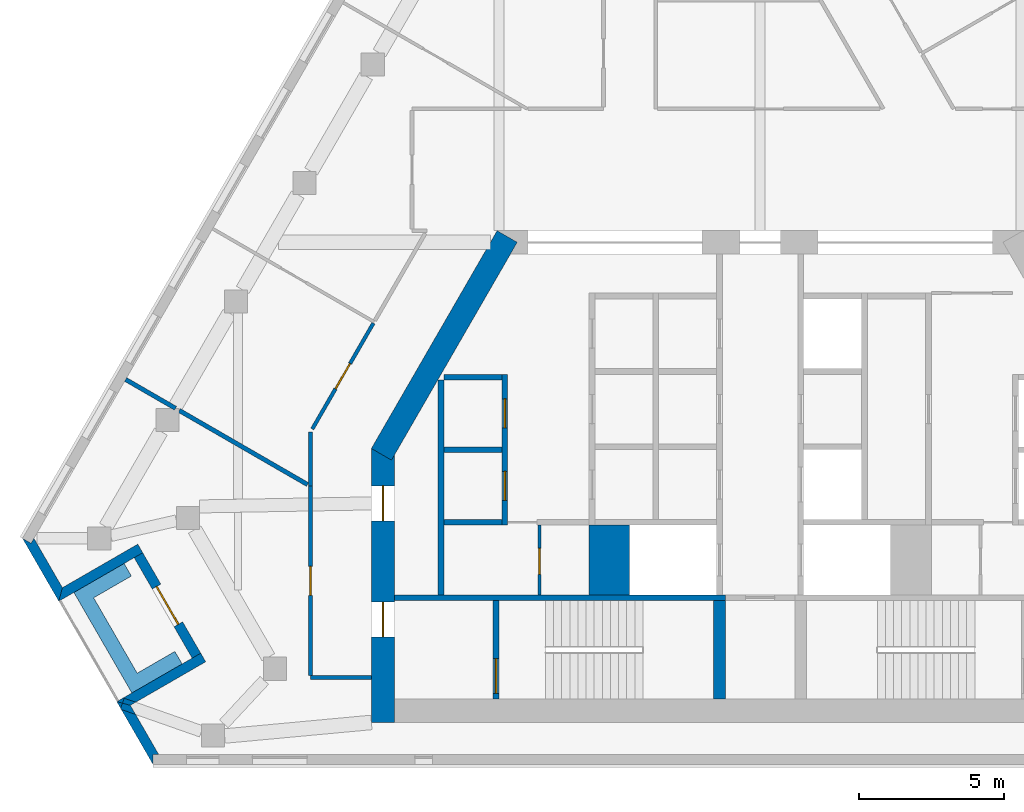
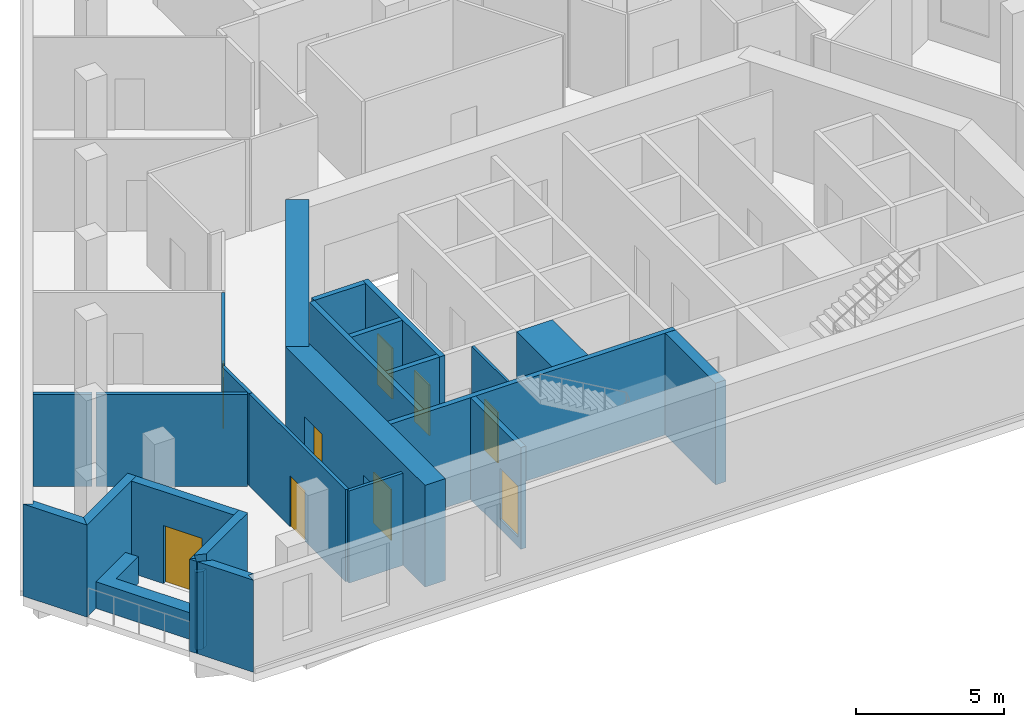
# One storey, part 2 of 9: 27 walls, 9 doors, 9 openings.
"""IFC4 building model written with IfcOpenShell, lengths in metres."""

import ifcopenshell
import ifcopenshell.guid

model = None  # the IFC model being written
_history = None  # IfcOwnerHistory: only IFC2X3 demands one
_inside = {}  # id of a spatial element -> (the spatial element, [elements in it])
_under = {}  # id of a project, library or spatial element -> (it, [spatial elements below it])
_declared = {}  # id of a project -> (the project, [libraries it declares])
_typed = {}  # id of a type object -> (the type object, [elements of that type])
_made_of = {}  # id of a material, layer set ... -> (it, [elements and type objects made of it])


def new_model(schema):
    """Start an empty IFC model of exactly this schema.

    Asked for "IFC4X3", IfcOpenShell would pick the latest addendum, in which some entities
    have other attributes; the version numbers below select the first issue.
    IFC2X3 requires an IfcOwnerHistory on every rooted entity: one is made here for all.
    """
    global model, _history
    if schema == "IFC4X3":
        model = ifcopenshell.file(schema_version=(4, 3, 0, 0))
    else:
        model = ifcopenshell.file(schema=schema)
    _inside.clear()
    _under.clear()
    _declared.clear()
    _typed.clear()
    _made_of.clear()
    _history = None
    if model.schema == "IFC2X3":
        org = make("IfcOrganization", Name="unknown")
        user = make(
            "IfcPersonAndOrganization",
            ThePerson=make("IfcPerson", FamilyName="unknown"),
            TheOrganization=org,
        )
        app = make(
            "IfcApplication",
            ApplicationDeveloper=org,
            Version="unknown",
            ApplicationFullName="unknown",
            ApplicationIdentifier="unknown",
        )
        _history = make(
            "IfcOwnerHistory",
            OwningUser=user,
            OwningApplication=app,
            ChangeAction="ADDED",
            CreationDate=0,
        )
    return model


def make(cls, **values):
    """One entity of the class cls with the attributes given. An attribute that is None is left unset."""
    return model.create_entity(
        cls, **{name: value for name, value in values.items() if value is not None}
    )


def rooted(cls, **values):
    """An entity with a GlobalId (a new one), such as an element, a storey or a relation."""
    return make(cls, GlobalId=ifcopenshell.guid.new(), OwnerHistory=_history, **values)


def si_unit(unit_type, name, prefix=None):
    """IfcSIUnit, for example si_unit("LENGTHUNIT", "METRE", prefix="MILLI")."""
    return make("IfcSIUnit", UnitType=unit_type, Prefix=prefix, Name=name)


def assignment(units):
    """IfcUnitAssignment: the units of a project."""
    return None if units is None else make("IfcUnitAssignment", Units=units)


def point(xyz):
    """IfcCartesianPoint."""
    return None if xyz is None else make("IfcCartesianPoint", Coordinates=xyz)


def direction(xyz):
    """IfcDirection."""
    return None if xyz is None else make("IfcDirection", DirectionRatios=xyz)


def frame(location, z_axis=None, x_axis=None):
    """IfcAxis2Placement3D, a coordinate frame: its origin and axes. An axis left out is left unset."""
    return make(
        "IfcAxis2Placement3D",
        Location=point(location),
        Axis=direction(z_axis),
        RefDirection=direction(x_axis),
    )


def frame_2d(location, x_axis=None):
    """IfcAxis2Placement2D, a coordinate frame in the plane: its origin and x axis."""
    return make(
        "IfcAxis2Placement2D", Location=point(location), RefDirection=direction(x_axis)
    )


def origin():
    """The frame at (0, 0, 0) with its axes left unset."""
    return frame((0.0, 0.0, 0.0))


def place(relative_to, where):
    """IfcLocalPlacement: puts the frame where relative to a parent placement (None: the world)."""
    return make(
        "IfcLocalPlacement", PlacementRelTo=relative_to, RelativePlacement=where
    )


def context(
    kind, dimensions, precision=None, world=None, true_north=None, identifier=None
):
    """IfcGeometricRepresentationContext, for example the 3D "Model" context."""
    return make(
        "IfcGeometricRepresentationContext",
        ContextIdentifier=identifier,
        ContextType=kind,
        CoordinateSpaceDimension=dimensions,
        Precision=precision,
        WorldCoordinateSystem=world,
        TrueNorth=true_north,
    )


def subcontext(parent, identifier, kind, view, scale=None):
    """IfcGeometricRepresentationSubContext, for example "Body" below "Model"."""
    return make(
        "IfcGeometricRepresentationSubContext",
        ContextIdentifier=identifier,
        ContextType=kind,
        ParentContext=parent,
        TargetScale=scale,
        TargetView=view,
    )


def project(units=None, contexts=None):
    """IfcProject with its units and contexts."""
    return rooted(
        "IfcProject",
        Name="project",
        RepresentationContexts=contexts,
        UnitsInContext=assignment(units),
    )


def spatial(cls, under=None, at=None, **own):
    """A site, building, storey or space (cls), placed at a placement, below another one or the project."""
    s = rooted(cls, ObjectPlacement=at, **own)
    if under is not None:
        _under.setdefault(under.id(), (under, []))[1].append(s)
    return s


def polyline(points):
    """IfcPolyline through the points."""
    return make("IfcPolyline", Points=[point(p) for p in points])


def profile(cls, at=None, kind="AREA", **sizes):
    """A parametric profile (cls). Its sizes go by their IFC names, for example OverallWidth=200.0."""
    return make(cls, ProfileType=kind, Position=at, **sizes)


def rectangle(**sizes):
    """IfcRectangleProfileDef."""
    return profile("IfcRectangleProfileDef", **sizes)


def outline(outer, holes=None, kind="AREA"):
    """IfcArbitraryClosedProfileDef: a profile drawn as a closed curve; with holes, ...WithVoids."""
    if holes is None:
        return make("IfcArbitraryClosedProfileDef", ProfileType=kind, OuterCurve=outer)
    return make(
        "IfcArbitraryProfileDefWithVoids",
        ProfileType=kind,
        OuterCurve=outer,
        InnerCurves=holes,
    )


def extrude(swept, where, along, depth):
    """IfcExtrudedAreaSolid: the profile swept, set in the frame where, extruded along a direction by depth."""
    return make(
        "IfcExtrudedAreaSolid",
        SweptArea=swept,
        Position=where,
        ExtrudedDirection=direction(along),
        Depth=depth,
    )


def shape(context_of_items, identifier, shape_type, items):
    """IfcShapeRepresentation: the items that make up one representation, for example the "Body"."""
    return make(
        "IfcShapeRepresentation",
        ContextOfItems=context_of_items,
        RepresentationIdentifier=identifier,
        RepresentationType=shape_type,
        Items=items,
    )


def material(Name=None, Category=None):
    """IfcMaterial."""
    return make("IfcMaterial", Name=Name, Category=Category)


def layer(
    of_material, thickness, ventilated=None, Name=None, Category=None, Priority=None
):
    """IfcMaterialLayer: one layer of a wall or slab, of a material (None: an air gap)."""
    return make(
        "IfcMaterialLayer",
        Material=of_material,
        LayerThickness=thickness,
        IsVentilated=ventilated,
        Name=Name,
        Category=Category,
        Priority=Priority,
    )


def layer_set(layers, Name=None):
    """IfcMaterialLayerSet."""
    return make("IfcMaterialLayerSet", MaterialLayers=layers, LayerSetName=Name)


def made_of(thing, what):
    """Note that an element or type object is made of a material, layer set ...; save() writes the relation."""
    if what is not None:
        _made_of.setdefault(what.id(), (what, []))[1].append(thing)
    return thing


def type_object(cls, material=None, **own):
    """A type object (cls), such as IfcWallType, which elements share."""
    return made_of(rooted(cls, **own), material)


def element(
    cls,
    number,
    at=None,
    inside=None,
    cuts=None,
    type_object=None,
    material=None,
    context=None,
    identifier="Body",
    shape_type=None,
    held_by="IfcProductDefinitionShape",
    body=None,
    shapes=None,
    **own,
):
    """One element of the class cls, such as IfcWall. Its Tag is "e" and its number.

    at: its placement. inside: the storey or other place that contains it. cuts: it is an
    opening in that element (IfcRelVoidsElement). A single representation is given by context,
    identifier, shape_type and body (its items); several are given by shapes. held_by: the class
    of the entity that holds the representations. save() writes the other relations.
    """
    e = rooted(cls, Tag="e%d" % number, ObjectPlacement=at, **own)
    if body is not None:
        shapes = [shape(context, identifier, shape_type, body)]
    if shapes is not None:
        e.Representation = make(held_by, Representations=shapes)
    if inside is not None:
        _inside.setdefault(inside.id(), (inside, []))[1].append(e)
    if cuts is not None:
        rooted(
            "IfcRelVoidsElement", RelatingBuildingElement=cuts, RelatedOpeningElement=e
        )
    if type_object is not None:
        _typed.setdefault(type_object.id(), (type_object, []))[1].append(e)
    return made_of(e, material)


def fill(opening, filler):
    """IfcRelFillsElement: the door or window that sits in an opening."""
    return rooted(
        "IfcRelFillsElement",
        RelatingOpeningElement=opening,
        RelatedBuildingElement=filler,
    )


def aggregate(whole, parts):
    """IfcRelAggregates: a whole, such as a stair, and the parts it consists of."""
    return rooted("IfcRelAggregates", RelatingObject=whole, RelatedObjects=parts)


def save(model, path):
    """Write the relations noted so far, then the file.

    IfcRelAggregates (storeys below a building ...), IfcRelContainedInSpatialStructure (elements
    in a storey), IfcRelDefinesByType, IfcRelAssociatesMaterial and IfcRelDeclares: one each for
    every whole, place, type object, material and project.
    """
    for whole, parts in _under.values():
        aggregate(whole, parts)
    for where, things in _inside.values():
        rooted(
            "IfcRelContainedInSpatialStructure",
            RelatedElements=things,
            RelatingStructure=where,
        )
    for kind, things in _typed.values():
        rooted("IfcRelDefinesByType", RelatedObjects=things, RelatingType=kind)
    for what, things in _made_of.values():
        rooted("IfcRelAssociatesMaterial", RelatedObjects=things, RelatingMaterial=what)
    for by, libraries in _declared.values():
        rooted("IfcRelDeclares", RelatingContext=by, RelatedDefinitions=libraries)
    model.write(path)


model = new_model("IFC4")

# Units and contexts
model_context = context("Model", 3, precision=1e-05, world=origin(), true_north=direction((0.0, 1.0)))
body_context = subcontext(model_context, "Body", "Model", "MODEL_VIEW")
ifc_project = project(units=[si_unit("LENGTHUNIT", "METRE"), si_unit("AREAUNIT", "SQUARE_METRE"), si_unit("VOLUMEUNIT", "CUBIC_METRE"), si_unit("PLANEANGLEUNIT", "RADIAN"), si_unit("MASSUNIT", "GRAM", prefix="KILO")], contexts=[model_context])

# Site, building, storey
site_placement = place(None, origin())
site = spatial("IfcSite", under=ifc_project, at=site_placement, CompositionType="ELEMENT")
building_placement = place(site_placement, origin())
building = spatial("IfcBuilding", under=site, at=building_placement, Name="Fogline Exchange Tower", CompositionType="ELEMENT")
storey_placement = place(building_placement, frame((0.0, 0.0, 283.5)))
storey = spatial("IfcBuildingStorey", under=building, at=storey_placement, Name="L64", CompositionType="ELEMENT", Elevation=283.5)

# Wall, opening, door
ifc_material_1 = material(Name="Blockwork partition", Category="masonry")
ifc_layer_1 = layer(ifc_material_1, 0.10009765625)
ifc_layer_set_1 = layer_set([ifc_layer_1], Name="CW10")
wall_type_1 = type_object("IfcWallType", Name="CW10", PredefinedType="PARTITIONING", material=ifc_layer_set_1)
wall_1_placement = place(storey_placement, frame((-7.60009765625, 5.85009765625, 0.0), z_axis=(0.0, 0.0, 1.0), x_axis=(0.0, 1.0, 0.0)))
wall_1 = element("IfcWall", 1, at=wall_1_placement, inside=storey, type_object=wall_type_1, Name="WC partition", PredefinedType="PARTITIONING", context=body_context, shape_type="SweptSolid", body=[
    extrude(rectangle(XDim=2.39990234375, YDim=0.10009765625, at=frame_2d((1.199951171875, 0.0))), origin(), (0.0, 0.0, 1.0), 3.800048828125),
])
opening_1_placement = place(wall_1_placement, frame((0.699951171875, 0.0, 0.0)))
opening_1 = element("IfcOpeningElement", 2, at=opening_1_placement, cuts=wall_1, Name="Opening T20-C013", PredefinedType="OPENING", context=body_context, shape_type="SweptSolid", body=[
    extrude(rectangle(XDim=0.89990234375, YDim=2.10009765625, at=frame_2d((0.449951171875, 1.050048828125))), frame((0.0, 0.06005859375, 0.0), z_axis=(0.0, -1.0, 0.0), x_axis=(1.0, 0.0, 0.0)), (0.0, 0.0, 1.0), 0.1201171875),
])
ifc_material_2 = material(Name="Steel and timber fire door", Category="steel")
door_type_1 = type_object("IfcDoorType", Name="D-CS1", OperationType="SINGLE_SWING_RIGHT", PredefinedType="DOOR", material=ifc_material_2)
door_1_placement = place(opening_1_placement, frame((0.89990234375, 0.0, 0.0), z_axis=(0.0, 0.0, 1.0), x_axis=(-1.0, 0.0, 0.0)))
door_1 = element("IfcDoor", 3, at=door_1_placement, inside=storey, type_object=door_type_1, Name="Door to Cleaner's Store", OperationType="SINGLE_SWING_RIGHT", OverallHeight=2.10009765625, OverallWidth=0.89990234375, PredefinedType="DOOR", context=body_context, shape_type="SweptSolid", body=[
    extrude(rectangle(XDim=0.89990234375, YDim=2.10009765625, at=frame_2d((0.449951171875, 1.050048828125))), frame((0.0, 0.02490234375, 0.0), z_axis=(0.0, -1.0, 0.0), x_axis=(1.0, 0.0, 0.0)), (0.0, 0.0, 1.0), 0.050048828125),
])
fill(opening_1, door_1)

# Walls
ifc_material_3 = material(Name="Concrete C60", Category="concrete")
ifc_layer_2 = layer(ifc_material_3, 1.39990234375)
ifc_layer_set_2 = layer_set([ifc_layer_2], Name="CW140")
wall_type_2 = type_object("IfcWallType", Name="CW140", PredefinedType="SOLIDWALL", material=ifc_layer_set_2)
wall_2_placement = place(storey_placement, frame((-5.199951171875, 5.85009765625, -0.39990234375), z_axis=(0.0, 0.0, 1.0), x_axis=(0.0, 1.0, 0.0)))
element("IfcWall", 4, at=wall_2_placement, inside=storey, type_object=wall_type_2, Name="Lift shaft block wall", PredefinedType="SOLIDWALL", context=body_context, shape_type="SweptSolid", body=[
    extrude(rectangle(XDim=2.39990234375, YDim=1.39990234375, at=frame_2d((1.199951171875, 0.0))), origin(), (0.0, 0.0, 1.0), 4.199951171875),
])
ifc_material_4 = material(Name="Concrete C40", Category="concrete")
ifc_layer_3 = layer(ifc_material_4, 0.199951171875)
ifc_layer_set_3 = layer_set([ifc_layer_3], Name="CW20")
wall_type_3 = type_object("IfcWallType", Name="CW20", PredefinedType="SOLIDWALL", material=ifc_layer_set_3)
wall_3_placement = place(storey_placement, frame((-11.0, 5.85009765625, 0.0), z_axis=(0.0, 0.0, 1.0), x_axis=(0.0, 1.0, 0.0)))
element("IfcWall", 5, at=wall_3_placement, inside=storey, type_object=wall_type_3, Name="Service room wall", PredefinedType="SOLIDWALL", context=body_context, shape_type="SweptSolid", body=[
    extrude(rectangle(XDim=7.39990234375, YDim=0.199951171875, at=frame_2d((3.699951171875, 0.0))), origin(), (0.0, 0.0, 1.0), 3.800048828125),
])
wall_4_placement = place(storey_placement, frame((-10.89990234375, 10.85009765625, 0.0), z_axis=(0.0, 0.0, 1.0), x_axis=(1.0, 0.0, 0.0)))
element("IfcWall", 6, at=wall_4_placement, inside=storey, type_object=wall_type_3, Name="Service room wall", PredefinedType="SOLIDWALL", context=body_context, shape_type="SweptSolid", body=[
    extrude(rectangle(XDim=2.0, YDim=0.199951171875, at=frame_2d((1.0, 0.0))), origin(), (0.0, 0.0, 1.0), 3.800048828125),
])
ifc_layer_4 = layer(ifc_material_4, 0.199951171875)
ifc_layer_set_4 = layer_set([ifc_layer_4], Name="CW20R")
wall_type_4 = type_object("IfcWallType", Name="CW20R", PredefinedType="SOLIDWALL", material=ifc_layer_set_4)
wall_5_placement = place(storey_placement, frame((-12.60009765625, 5.75, -0.39990234375), z_axis=(0.0, 0.0, 1.0), x_axis=(1.0, 0.0, 0.0)))
element("IfcWall", 7, at=wall_5_placement, inside=storey, type_object=wall_type_4, Name="Stair enclosure wall", PredefinedType="SOLIDWALL", context=body_context, shape_type="SweptSolid", body=[
    extrude(rectangle(XDim=11.400146484375, YDim=0.199951171875, at=frame_2d((5.7001953125, 0.0))), origin(), (0.0, 0.0, 1.0), 4.199951171875),
])

# Wall, opening, door
wall_6_placement = place(storey_placement, frame((-9.10009765625, 2.25, -0.39990234375), z_axis=(0.0, 0.0, 1.0), x_axis=(0.0, 1.0, 0.0)))
wall_6 = element("IfcWall", 8, at=wall_6_placement, inside=storey, type_object=wall_type_4, Name="Stair enclosure wall", PredefinedType="SOLIDWALL", context=body_context, shape_type="SweptSolid", body=[
    extrude(rectangle(XDim=3.39990234375, YDim=0.199951171875, at=frame_2d((1.699951171875, 0.0))), origin(), (0.0, 0.0, 1.0), 4.199951171875),
])
opening_2_placement = place(wall_6_placement, frame((0.199951171875, 0.0, 0.39990234375)))
opening_2 = element("IfcOpeningElement", 9, at=opening_2_placement, cuts=wall_6, Name="Opening T20-C015", PredefinedType="OPENING", context=body_context, shape_type="SweptSolid", body=[
    extrude(rectangle(XDim=1.199951171875, YDim=2.10009765625, at=frame_2d((0.60009765625, 1.050048828125))), frame((0.0, 0.10986328125, 0.0), z_axis=(0.0, -1.0, 0.0), x_axis=(1.0, 0.0, 0.0)), (0.0, 0.0, 1.0), 0.219970703125),
])
door_type_2 = type_object("IfcDoorType", Name="D-ST1", OperationType="SINGLE_SWING_LEFT", PredefinedType="DOOR", material=ifc_material_2)
door_2_placement = place(opening_2_placement, frame((1.199951171875, 0.0, 0.0), z_axis=(0.0, 0.0, 1.0), x_axis=(-1.0, 0.0, 0.0)))
door_2 = element("IfcDoor", 10, at=door_2_placement, inside=storey, type_object=door_type_2, Name="Stair door ST1", OperationType="SINGLE_SWING_RIGHT", OverallHeight=2.10009765625, OverallWidth=1.199951171875, PredefinedType="DOOR", context=body_context, shape_type="SweptSolid", body=[
    extrude(rectangle(XDim=1.199951171875, YDim=2.10009765625, at=frame_2d((0.60009765625, 1.050048828125))), frame((0.0, 0.02490234375, 0.0), z_axis=(0.0, -1.0, 0.0), x_axis=(1.0, 0.0, 0.0)), (0.0, 0.0, 1.0), 0.050048828125),
])
fill(opening_2, door_2)

# Wall, openings, doors
ifc_layer_5 = layer(ifc_material_4, 0.199951171875)
ifc_layer_set_5 = layer_set([ifc_layer_5], Name="CW20S")
wall_type_5 = type_object("IfcWallType", Name="CW20S", PredefinedType="SOLIDWALL", material=ifc_layer_set_5)
wall_7_placement = place(storey_placement, frame((-8.800048828125, 8.25, -0.39990234375), z_axis=(0.0, 0.0, 1.0), x_axis=(0.0, 1.0, 0.0)))
wall_7 = element("IfcWall", 11, at=wall_7_placement, inside=storey, type_object=wall_type_5, Name="Lift shaft wall", PredefinedType="SOLIDWALL", context=body_context, shape_type="SweptSolid", body=[
    extrude(rectangle(XDim=5.199951171875, YDim=0.199951171875, at=frame_2d((2.60009765625, 0.0))), origin(), (0.0, 0.0, 1.0), 4.199951171875),
])
opening_3_placement = place(wall_7_placement, frame((0.85009765625, 0.0, 0.39990234375)))
opening_3 = element("IfcOpeningElement", 12, at=opening_3_placement, cuts=wall_7, Name="Opening T20-C001", PredefinedType="OPENING", context=body_context, shape_type="SweptSolid", body=[
    extrude(rectangle(XDim=1.0, YDim=2.10009765625, at=frame_2d((0.5, 1.050048828125))), frame((0.0, 0.10986328125, 0.0), z_axis=(0.0, -1.0, 0.0), x_axis=(1.0, 0.0, 0.0)), (0.0, 0.0, 1.0), 0.219970703125),
])
opening_4_placement = place(wall_7_placement, frame((3.35009765625, 0.0, 0.39990234375)))
opening_4 = element("IfcOpeningElement", 13, at=opening_4_placement, cuts=wall_7, Name="Opening T20-C002", PredefinedType="OPENING", context=body_context, shape_type="SweptSolid", body=[
    extrude(rectangle(XDim=1.0, YDim=2.10009765625, at=frame_2d((0.5, 1.050048828125))), frame((0.0, 0.10986328125, 0.0), z_axis=(0.0, -1.0, 0.0), x_axis=(1.0, 0.0, 0.0)), (0.0, 0.0, 1.0), 0.219970703125),
])
door_type_3 = type_object("IfcDoorType", Name="D-RM1", OperationType="SINGLE_SWING_LEFT", PredefinedType="DOOR", material=ifc_material_2)
door_3_placement = place(opening_3_placement, origin())
door_3 = element("IfcDoor", 14, at=door_3_placement, inside=storey, type_object=door_type_3, Name="Door to Riser Room", OperationType="SINGLE_SWING_RIGHT", OverallHeight=2.10009765625, OverallWidth=1.0, PredefinedType="DOOR", context=body_context, shape_type="SweptSolid", body=[
    extrude(rectangle(XDim=1.0, YDim=2.10009765625, at=frame_2d((0.5, 1.050048828125))), frame((0.0, 0.02490234375, 0.0), z_axis=(0.0, -1.0, 0.0), x_axis=(1.0, 0.0, 0.0)), (0.0, 0.0, 1.0), 0.050048828125),
])
fill(opening_3, door_3)
door_4_placement = place(opening_4_placement, origin())
door_4 = element("IfcDoor", 15, at=door_4_placement, inside=storey, type_object=door_type_3, Name="Door to Plant Room", OperationType="SINGLE_SWING_RIGHT", OverallHeight=2.10009765625, OverallWidth=1.0, PredefinedType="DOOR", context=body_context, shape_type="SweptSolid", body=[
    extrude(rectangle(XDim=1.0, YDim=2.10009765625, at=frame_2d((0.5, 1.050048828125))), frame((0.0, 0.02490234375, 0.0), z_axis=(0.0, -1.0, 0.0), x_axis=(1.0, 0.0, 0.0)), (0.0, 0.0, 1.0), 0.050048828125),
])
fill(opening_4, door_4)

# Walls
for number, where, z_axis, x_axis, name in (
    (16, (-10.89990234375, 8.35009765625, -0.39990234375), (0.0, 0.0, 1.0), (1.0, 0.0, 0.0), "Lift shaft wall"),
    (17, (-10.89990234375, 13.35009765625, -0.39990234375), (0.0, 0.0, 1.0), (1.0, 0.0, 0.0), "Lift shaft wall"),
):
    element("IfcWall", number, at=place(storey_placement, frame(where, z_axis=z_axis, x_axis=x_axis)), inside=storey, type_object=wall_type_5, Name=name, PredefinedType="SOLIDWALL", context=body_context, shape_type="SweptSolid", body=[
        extrude(rectangle(XDim=2.0, YDim=0.199951171875, at=frame_2d((1.0, 0.0))), origin(), (0.0, 0.0, 1.0), 4.199951171875),
    ])
ifc_layer_6 = layer(ifc_material_4, 0.39990234375)
ifc_layer_set_6 = layer_set([ifc_layer_6], Name="CW40R")
wall_type_6 = type_object("IfcWallType", Name="CW40R", PredefinedType="SOLIDWALL", material=ifc_layer_set_6)
wall_8_placement = place(storey_placement, frame((-1.39990234375, 2.25, -0.39990234375), z_axis=(0.0, 0.0, 1.0), x_axis=(0.0, 1.0, 0.0)))
element("IfcWall", 18, at=wall_8_placement, inside=storey, type_object=wall_type_6, Name="Stair and lift shaft wall", PredefinedType="SOLIDWALL", context=body_context, shape_type="SweptSolid", body=[
    extrude(rectangle(XDim=3.39990234375, YDim=0.39990234375, at=frame_2d((1.699951171875, 0.0))), origin(), (0.0, 0.0, 1.0), 4.199951171875),
])
ifc_material_5 = material(Name="Brick masonry", Category="masonry")
ifc_layer_7 = layer(ifc_material_5, 0.340087890625)
ifc_layer_set_7 = layer_set([ifc_layer_7], Name="FW1")
wall_type_7 = type_object("IfcWallType", Name="FW1", PredefinedType="SOLIDWALL", material=ifc_layer_set_7)
wall_9_placement = place(storey_placement, origin())
element("IfcWall", 19, at=wall_9_placement, inside=storey, type_object=wall_type_7, Name="Brick wall L64 SW-c1", PredefinedType="SOLIDWALL", context=body_context, shape_type="SweptSolid", body=[
    extrude(outline(polyline([(-24.174560546875, 5.6279296875), (-25.425537109375, 7.794921875), (-25.42529296875, 7.79541015625), (-25.13037109375, 7.625), (-25.031982421875, 7.79541015625), (-24.049560546875, 6.09375), (-24.17431640625, 5.6279296875), (-24.174560546875, 5.6279296875)])), origin(), (0.0, 0.0, 1.0), 3.800048828125),
])
wall_10_placement = place(storey_placement, origin())
element("IfcWall", 20, at=wall_10_placement, inside=storey, type_object=wall_type_7, Name="Brick wall L64 SW-s1", PredefinedType="SOLIDWALL", context=body_context, shape_type="SweptSolid", body=[
    extrude(outline(polyline([(-21.451904296875, 7.594482421875), (-21.28125, 7.298828125), (-21.576171875, 7.128662109375), (-24.17529296875, 5.628173828125), (-24.175537109375, 5.62841796875), (-24.050537109375, 6.093994140625), (-21.451904296875, 7.594482421875)])), origin(), (0.0, 0.0, 1.0), 3.800048828125),
])

# Wall, opening, door
wall_11_placement = place(storey_placement, frame((-21.42919921875, 7.214111328125, 0.0), z_axis=(0.0, 0.0, 1.0), x_axis=(0.49999894854, -0.866026010844, 0.0)))
wall_11 = element("IfcWall", 21, at=wall_11_placement, inside=storey, type_object=wall_type_7, Name="Brick wall L64 SW-bk", PredefinedType="SOLIDWALL", context=body_context, shape_type="SweptSolid", body=[
    extrude(rectangle(XDim=4.0, YDim=0.340087890625, at=frame_2d((2.0, 0.0))), origin(), (0.0, 0.0, 1.0), 3.800048828125),
])
opening_5_placement = place(wall_11_placement, frame((1.25, 0.0, 0.0)))
opening_5 = element("IfcOpeningElement", 22, at=opening_5_placement, cuts=wall_11, Name="Opening T20-E021", PredefinedType="OPENING", context=body_context, shape_type="SweptSolid", body=[
    extrude(rectangle(XDim=1.5, YDim=2.39990234375, at=frame_2d((0.75, 1.199951171875))), frame((0.0, 0.18017578125, 0.0), z_axis=(0.0, -1.0, 0.0), x_axis=(1.0, 0.0, 0.0)), (0.0, 0.0, 1.0), 0.360107421875),
])
ifc_material_6 = material(Name="Aluminium and glass", Category="aluminium")
door_type_4 = type_object("IfcDoorType", Name="ED4", OperationType="SINGLE_SWING_LEFT", PredefinedType="DOOR", material=ifc_material_6)
door_5_placement = place(opening_5_placement, frame((1.5, 0.0, 0.0), z_axis=(0.0, 0.0, 1.0), x_axis=(-1.0, 0.0, 0.0)))
door_5 = element("IfcDoor", 23, at=door_5_placement, inside=storey, type_object=door_type_4, Name="Balcony door L64 SW", OperationType="DOUBLE_DOOR_SINGLE_SWING", OverallHeight=2.39990234375, OverallWidth=1.5, PredefinedType="DOOR", context=body_context, shape_type="SweptSolid", body=[
    extrude(rectangle(XDim=1.5, YDim=2.39990234375, at=frame_2d((0.75, 1.199951171875))), frame((0.0, 0.02490234375, 0.0), z_axis=(0.0, -1.0, 0.0), x_axis=(1.0, 0.0, 0.0)), (0.0, 0.0, 1.0), 0.050048828125),
])
fill(opening_5, door_5)

# Walls
wall_12_placement = place(storey_placement, origin())
element("IfcWall", 24, at=wall_12_placement, inside=storey, type_object=wall_type_7, Name="Brick wall L64 SW-s2", PredefinedType="SOLIDWALL", context=body_context, shape_type="SweptSolid", body=[
    extrude(outline(polyline([(-21.7099609375, 2.0400390625), (-21.980224609375, 2.1123046875), (-21.919677734375, 2.28515625), (-21.52490234375, 2.14697265625), (-21.7099609375, 2.0400390625)])), origin(), (0.0, 0.0, 1.0), 3.199951171875),
])
wall_13_placement = place(storey_placement, origin())
element("IfcWall", 25, at=wall_13_placement, inside=storey, type_object=wall_type_7, Name="Brick wall L64 SW-s2", PredefinedType="SOLIDWALL", context=body_context, shape_type="SweptSolid", body=[
    extrude(outline(polyline([(-19.576904296875, 3.66552734375), (-19.28173828125, 3.8359375), (-19.111328125, 3.540283203125), (-21.52490234375, 2.14697265625), (-21.919677734375, 2.28515625), (-21.980224609375, 2.1123046875), (-22.17578125, 2.164794921875), (-22.17578125, 2.1650390625), (-19.576904296875, 3.66552734375)])), origin(), (0.0, 0.0, 1.0), 3.800048828125),
])
wall_14_placement = place(storey_placement, origin())
element("IfcWall", 26, at=wall_14_placement, inside=storey, type_object=wall_type_7, Name="Brick wall L64 SW-c2", PredefinedType="SOLIDWALL", context=body_context, shape_type="SweptSolid", body=[
    extrude(outline(polyline([(-22.04248046875, 1.93505859375), (-21.979736328125, 2.113525390625), (-21.709716796875, 2.041015625), (-21.5263671875, 1.7236328125), (-22.020263671875, 1.896728515625), (-22.04248046875, 1.93505859375)])), origin(), (0.0, 0.0, 1.0), 3.199951171875),
])
wall_15_placement = place(storey_placement, origin())
element("IfcWall", 27, at=wall_15_placement, inside=storey, type_object=wall_type_7, Name="Brick wall L64 SW-c2", PredefinedType="SOLIDWALL", context=body_context, shape_type="SweptSolid", body=[
    extrude(outline(polyline([(-20.924072265625, 0.33935546875), (-20.924072265625, -0.0009765625), (-20.924560546875, -0.001220703125), (-22.020263671875, 1.896728515625), (-21.5263671875, 1.7236328125), (-20.727294921875, 0.33935546875), (-20.924072265625, 0.33935546875)])), origin(), (0.0, 0.0, 1.0), 3.800048828125),
])
wall_16_placement = place(storey_placement, origin())
element("IfcWall", 28, at=wall_16_placement, inside=storey, type_object=wall_type_7, Name="Brick wall L64 SW-c2", PredefinedType="SOLIDWALL", context=body_context, shape_type="SweptSolid", body=[
    extrude(outline(polyline([(-22.175537109375, 2.165771484375), (-22.175537109375, 2.166015625), (-21.979736328125, 2.113525390625), (-22.04248046875, 1.93505859375), (-22.175537109375, 2.165771484375)])), origin(), (0.0, 0.0, 1.0), 3.800048828125),
])
ifc_material_7 = material(Name="Concrete C30", Category="concrete")
ifc_layer_8 = layer(ifc_material_7, 0.199951171875)
ifc_layer_set_8 = layer_set([ifc_layer_8], Name="PL1")
wall_type_8 = type_object("IfcWallType", Name="PL1", PredefinedType="USERDEFINED", material=ifc_layer_set_8)
wall_17_placement = place(storey_placement, origin())
element("IfcWall", 29, at=wall_17_placement, inside=storey, type_object=wall_type_8, Name="PLANTER balcony L64 SW", ObjectType="PLANTER", PredefinedType="USERDEFINED", context=body_context, shape_type="SweptSolid", body=[
    extrude(outline(polyline([(-20.1728515625, 3.898193359375), (-21.471923828125, 3.148193359375), (-22.971923828125, 5.74609375), (-21.6728515625, 6.49609375), (-21.9228515625, 6.92919921875), (-23.655029296875, 5.92919921875), (-23.405029296875, 5.49609375), (-21.655029296875, 2.465087890625), (-21.221923828125, 2.715087890625), (-21.221923828125, 2.715087890625), (-19.9228515625, 3.465087890625), (-20.1728515625, 3.898193359375)])), origin(), (0.0, 0.0, 1.0), 1.10009765625),
])
ifc_material_8 = material(Name="Plasterboard corridor partition with mineral wool, 2 layers each side")
ifc_layer_9 = layer(ifc_material_8, 0.125)
ifc_layer_set_9 = layer_set([ifc_layer_9], Name="PW2")
wall_type_9 = type_object("IfcWallType", Name="PW2", PredefinedType="PARTITIONING", material=ifc_layer_set_9)
wall_18_placement = place(storey_placement, frame((-15.5, 9.5927734375, 0.0), z_axis=(0.0, 0.0, 1.0), x_axis=(0.0, 1.0, 0.0)))
element("IfcWall", 30, at=wall_18_placement, inside=storey, type_object=wall_type_9, Name="wall-L64-W017", PredefinedType="PARTITIONING", context=body_context, shape_type="SweptSolid", body=[
    extrude(rectangle(XDim=1.86181640625, YDim=0.125, at=frame_2d((0.930908203125, 0.0))), origin(), (0.0, 0.0, 1.0), 3.800048828125),
])

# Wall, opening, door
wall_19_placement = place(storey_placement, frame((-15.4375, 11.562744140625, 0.0), z_axis=(0.0, 0.0, 1.0), x_axis=(0.500010096862, 0.86601957428, 0.0)))
wall_19 = element("IfcWall", 31, at=wall_19_placement, inside=storey, type_object=wall_type_9, Name="wall-L64-W018", PredefinedType="PARTITIONING", context=body_context, shape_type="SweptSolid", body=[
    extrude(rectangle(XDim=4.21240234375, YDim=0.125, at=frame_2d((2.106201171875, 0.0))), origin(), (0.0, 0.0, 1.0), 3.800048828125),
])
opening_6_placement = place(wall_19_placement, frame((1.606201171875, 0.0, 0.0)))
opening_6 = element("IfcOpeningElement", 32, at=opening_6_placement, cuts=wall_19, Name="Opening T20-D007", PredefinedType="OPENING", context=body_context, shape_type="SweptSolid", body=[
    extrude(rectangle(XDim=1.0, YDim=2.10009765625, at=frame_2d((0.5, 1.050048828125))), frame((0.0, 0.072509765625, 0.0), z_axis=(0.0, -1.0, 0.0), x_axis=(1.0, 0.0, 0.0)), (0.0, 0.0, 1.0), 0.14501953125),
])
ifc_material_9 = material(Name="Fire-rated timber door leaf with steel frame", Category="steel")
door_type_5 = type_object("IfcDoorType", Name="D3", OperationType="SINGLE_SWING_LEFT", PredefinedType="DOOR", material=ifc_material_9)
door_6_placement = place(opening_6_placement, origin())
door_6 = element("IfcDoor", 33, at=door_6_placement, inside=storey, type_object=door_type_5, Name="door-L64-D007", OperationType="SINGLE_SWING_LEFT", OverallHeight=2.10009765625, OverallWidth=1.0, PredefinedType="DOOR", context=body_context, shape_type="SweptSolid", body=[
    extrude(rectangle(XDim=1.0, YDim=2.10009765625, at=frame_2d((0.5, 1.050048828125))), frame((0.0, 0.02490234375, 0.0), z_axis=(0.0, -1.0, 0.0), x_axis=(1.0, 0.0, 0.0)), (0.0, 0.0, 1.0), 0.050048828125),
])
fill(opening_6, door_6)

# Wall
wall_20_placement = place(storey_placement, frame((-13.39990234375, 3.0, 0.0), z_axis=(0.0, 0.0, 1.0), x_axis=(-1.0, 0.0, 0.0)))
element("IfcWall", 34, at=wall_20_placement, inside=storey, type_object=wall_type_9, Name="wall-L64-W019", PredefinedType="PARTITIONING", context=body_context, shape_type="SweptSolid", body=[
    extrude(rectangle(XDim=2.10009765625, YDim=0.125, at=frame_2d((1.050048828125, 0.0))), origin(), (0.0, 0.0, 1.0), 3.800048828125),
])

# Wall, opening, door
wall_21_placement = place(storey_placement, frame((-15.5, 3.0625, 0.0), z_axis=(0.0, 0.0, 1.0), x_axis=(0.0, 1.0, 0.0)))
wall_21 = element("IfcWall", 35, at=wall_21_placement, inside=storey, type_object=wall_type_9, Name="wall-L64-W020", PredefinedType="PARTITIONING", context=body_context, shape_type="SweptSolid", body=[
    extrude(rectangle(XDim=6.5302734375, YDim=0.125, at=frame_2d((3.26513671875, 0.0))), origin(), (0.0, 0.0, 1.0), 3.800048828125),
])
opening_7_placement = place(wall_21_placement, frame((2.76513671875, 0.0, 0.0)))
opening_7 = element("IfcOpeningElement", 36, at=opening_7_placement, cuts=wall_21, Name="Opening T20-D008", PredefinedType="OPENING", context=body_context, shape_type="SweptSolid", body=[
    extrude(rectangle(XDim=1.0, YDim=2.10009765625, at=frame_2d((0.5, 1.050048828125))), frame((0.0, 0.072509765625, 0.0), z_axis=(0.0, -1.0, 0.0), x_axis=(1.0, 0.0, 0.0)), (0.0, 0.0, 1.0), 0.14501953125),
])
door_7_placement = place(opening_7_placement, origin())
door_7 = element("IfcDoor", 37, at=door_7_placement, inside=storey, type_object=door_type_5, Name="door-L64-D008", OperationType="SINGLE_SWING_LEFT", OverallHeight=2.10009765625, OverallWidth=1.0, PredefinedType="DOOR", context=body_context, shape_type="SweptSolid", body=[
    extrude(rectangle(XDim=1.0, YDim=2.10009765625, at=frame_2d((0.5, 1.050048828125))), frame((0.0, 0.02490234375, 0.0), z_axis=(0.0, -1.0, 0.0), x_axis=(1.0, 0.0, 0.0)), (0.0, 0.0, 1.0), 0.050048828125),
])
fill(opening_7, door_7)

# Walls
ifc_material_10 = material(Name="Plasterboard demising partition with mineral wool and acoustic board")
ifc_layer_10 = layer(ifc_material_10, 0.14990234375)
ifc_layer_set_10 = layer_set([ifc_layer_10], Name="PW3")
wall_type_10 = type_object("IfcWallType", Name="PW3", PredefinedType="PARTITIONING", material=ifc_layer_set_10)
wall_22_placement = place(storey_placement, frame((-15.600341796875, 9.650634765625, 0.0), z_axis=(0.0, 0.0, 1.0), x_axis=(-0.866031147513, 0.499990051438, 0.0)))
element("IfcWall", 38, at=wall_22_placement, inside=storey, type_object=wall_type_10, Name="wall-L64-W044", PredefinedType="PARTITIONING", context=body_context, shape_type="SweptSolid", body=[
    extrude(rectangle(XDim=5.10693359375, YDim=0.14990234375, at=frame_2d((2.553466796875, 0.0))), origin(), (0.0, 0.0, 1.0), 3.800048828125),
])
wall_23_placement = place(storey_placement, frame((-20.1494140625, 12.277099609375, 0.0), z_axis=(0.0, 0.0, 1.0), x_axis=(-0.866034166718, 0.499984821847, 0.0)))
element("IfcWall", 39, at=wall_23_placement, inside=storey, type_object=wall_type_10, Name="wall-L64-W045", PredefinedType="PARTITIONING", context=body_context, shape_type="SweptSolid", body=[
    extrude(rectangle(XDim=1.98681640625, YDim=0.14990234375, at=frame_2d((0.993408203125, 0.0))), origin(), (0.0, 0.0, 1.0), 3.800048828125),
])
ifc_material_11 = material(Name="Concrete C50", Category="concrete")
ifc_layer_11 = layer(ifc_material_11, 0.800048828125)
ifc_layer_set_11 = layer_set([ifc_layer_11], Name="SW04")
wall_type_11 = type_object("IfcWallType", Name="SW04", PredefinedType="SHEAR", material=ifc_layer_set_11)
wall_24_placement = place(storey_placement, frame((-8.71875, 18.199951171875, 0.0), z_axis=(0.0, 0.0, 1.0), x_axis=(-0.500015780397, -0.866016292776, 0.0)))
element("IfcWall", 40, at=wall_24_placement, inside=storey, type_object=wall_type_11, Name="L64-W905", PredefinedType="SHEAR", context=body_context, shape_type="SweptSolid", body=[
    extrude(rectangle(XDim=8.669677734375, YDim=0.800048828125, at=frame_2d((4.3349609375, 0.0))), origin(), (0.0, 0.0, 1.0), 4.199951171875),
])

# Wall, openings, doors
wall_25_placement = place(storey_placement, frame((-13.0, 10.891845703125, 0.0), z_axis=(0.0, 0.0, 1.0), x_axis=(0.0, -1.0, 0.0)))
wall_25 = element("IfcWall", 41, at=wall_25_placement, inside=storey, type_object=wall_type_11, Name="L64-W906", PredefinedType="SHEAR", context=body_context, shape_type="SweptSolid", body=[
    extrude(rectangle(XDim=9.44189453125, YDim=0.800048828125, at=frame_2d((4.720947265625, 0.0))), origin(), (0.0, 0.0, 1.0), 4.199951171875),
])
opening_8_placement = place(wall_25_placement, frame((5.291748046875, 0.0, 0.0)))
opening_8 = element("IfcOpeningElement", 42, at=opening_8_placement, cuts=wall_25, Name="Opening T20-C014", PredefinedType="OPENING", context=body_context, shape_type="SweptSolid", body=[
    extrude(rectangle(XDim=1.199951171875, YDim=2.10009765625, at=frame_2d((0.60009765625, 1.050048828125))), frame((0.0, 0.41015625, 0.0), z_axis=(0.0, -1.0, 0.0), x_axis=(1.0, 0.0, 0.0)), (0.0, 0.0, 1.0), 0.820068359375),
])
opening_9_placement = place(wall_25_placement, frame((1.291748046875, 0.0, 0.0)))
opening_9 = element("IfcOpeningElement", 43, at=opening_9_placement, cuts=wall_25, Name="Opening T20-C016", PredefinedType="OPENING", context=body_context, shape_type="SweptSolid", body=[
    extrude(rectangle(XDim=1.199951171875, YDim=2.10009765625, at=frame_2d((0.60009765625, 1.050048828125))), frame((0.0, 0.41015625, 0.0), z_axis=(0.0, -1.0, 0.0), x_axis=(1.0, 0.0, 0.0)), (0.0, 0.0, 1.0), 0.820068359375),
])
door_type_6 = type_object("IfcDoorType", Name="D-FR1", OperationType="SINGLE_SWING_RIGHT", PredefinedType="DOOR", material=ifc_material_2)
door_8_placement = place(opening_8_placement, origin())
door_8 = element("IfcDoor", 44, at=door_8_placement, inside=storey, type_object=door_type_6, Name="Front room door ST1", OperationType="SINGLE_SWING_LEFT", OverallHeight=2.10009765625, OverallWidth=1.199951171875, PredefinedType="DOOR", context=body_context, shape_type="SweptSolid", body=[
    extrude(rectangle(XDim=1.199951171875, YDim=2.10009765625, at=frame_2d((0.60009765625, 1.050048828125))), frame((0.0, 0.02490234375, 0.0), z_axis=(0.0, -1.0, 0.0), x_axis=(1.0, 0.0, 0.0)), (0.0, 0.0, 1.0), 0.050048828125),
])
fill(opening_8, door_8)
door_type_7 = type_object("IfcDoorType", Name="D-SV1", OperationType="SINGLE_SWING_LEFT", PredefinedType="DOOR", material=ifc_material_2)
door_9_placement = place(opening_9_placement, origin())
door_9 = element("IfcDoor", 45, at=door_9_placement, inside=storey, type_object=door_type_7, Name="Service door W", OperationType="SINGLE_SWING_LEFT", OverallHeight=2.10009765625, OverallWidth=1.199951171875, PredefinedType="DOOR", context=body_context, shape_type="SweptSolid", body=[
    extrude(rectangle(XDim=1.199951171875, YDim=2.10009765625, at=frame_2d((0.60009765625, 1.050048828125))), frame((0.0, 0.02490234375, 0.0), z_axis=(0.0, -1.0, 0.0), x_axis=(1.0, 0.0, 0.0)), (0.0, 0.0, 1.0), 0.050048828125),
])
fill(opening_9, door_9)

save(model, "model.ifc")
